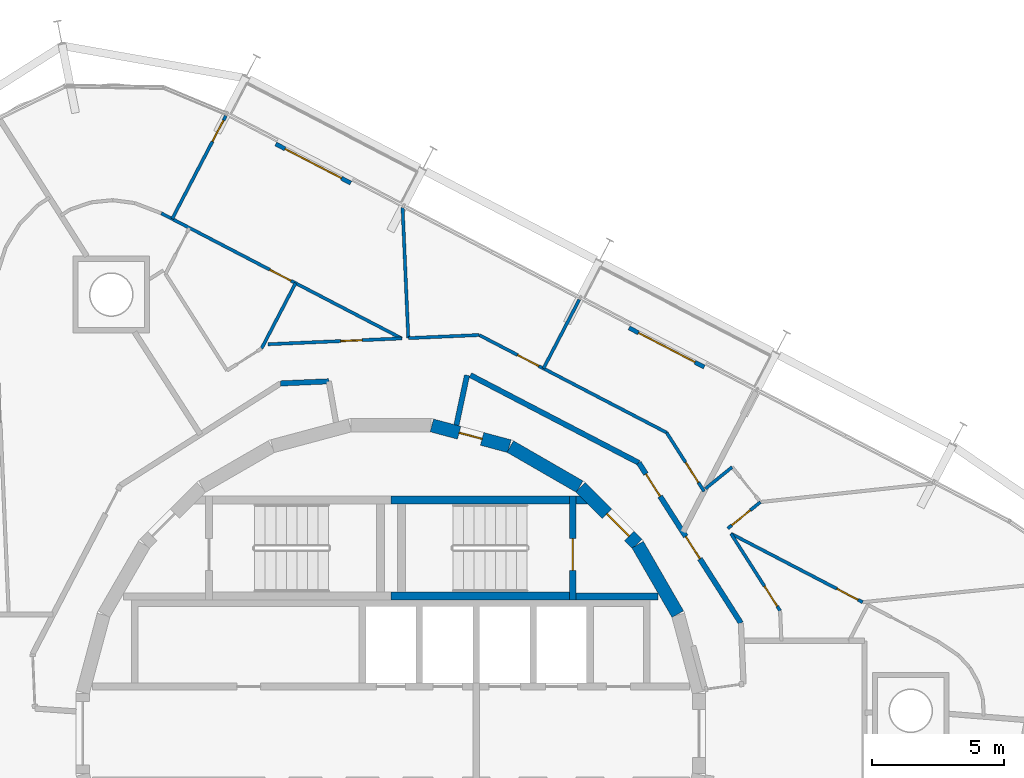
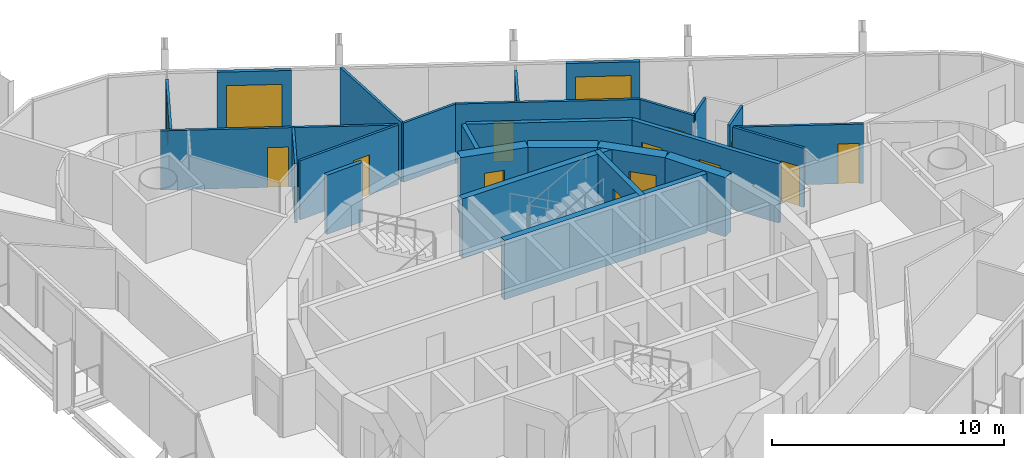
# One storey, part 16 of 18: 28 walls, 15 doors, 15 openings.
"""IFC4 building model written with IfcOpenShell, lengths in metres."""

import ifcopenshell
import ifcopenshell.guid

model = None  # the IFC model being written
_history = None  # IfcOwnerHistory: only IFC2X3 demands one
_inside = {}  # id of a spatial element -> (the spatial element, [elements in it])
_under = {}  # id of a project, library or spatial element -> (it, [spatial elements below it])
_declared = {}  # id of a project -> (the project, [libraries it declares])
_typed = {}  # id of a type object -> (the type object, [elements of that type])
_made_of = {}  # id of a material, layer set ... -> (it, [elements and type objects made of it])


def new_model(schema):
    """Start an empty IFC model of exactly this schema.

    Asked for "IFC4X3", IfcOpenShell would pick the latest addendum, in which some entities
    have other attributes; the version numbers below select the first issue.
    IFC2X3 requires an IfcOwnerHistory on every rooted entity: one is made here for all.
    """
    global model, _history
    if schema == "IFC4X3":
        model = ifcopenshell.file(schema_version=(4, 3, 0, 0))
    else:
        model = ifcopenshell.file(schema=schema)
    _inside.clear()
    _under.clear()
    _declared.clear()
    _typed.clear()
    _made_of.clear()
    _history = None
    if model.schema == "IFC2X3":
        org = make("IfcOrganization", Name="unknown")
        user = make(
            "IfcPersonAndOrganization",
            ThePerson=make("IfcPerson", FamilyName="unknown"),
            TheOrganization=org,
        )
        app = make(
            "IfcApplication",
            ApplicationDeveloper=org,
            Version="unknown",
            ApplicationFullName="unknown",
            ApplicationIdentifier="unknown",
        )
        _history = make(
            "IfcOwnerHistory",
            OwningUser=user,
            OwningApplication=app,
            ChangeAction="ADDED",
            CreationDate=0,
        )
    return model


def make(cls, **values):
    """One entity of the class cls with the attributes given. An attribute that is None is left unset."""
    return model.create_entity(
        cls, **{name: value for name, value in values.items() if value is not None}
    )


def rooted(cls, **values):
    """An entity with a GlobalId (a new one), such as an element, a storey or a relation."""
    return make(cls, GlobalId=ifcopenshell.guid.new(), OwnerHistory=_history, **values)


def si_unit(unit_type, name, prefix=None):
    """IfcSIUnit, for example si_unit("LENGTHUNIT", "METRE", prefix="MILLI")."""
    return make("IfcSIUnit", UnitType=unit_type, Prefix=prefix, Name=name)


def assignment(units):
    """IfcUnitAssignment: the units of a project."""
    return None if units is None else make("IfcUnitAssignment", Units=units)


def point(xyz):
    """IfcCartesianPoint."""
    return None if xyz is None else make("IfcCartesianPoint", Coordinates=xyz)


def direction(xyz):
    """IfcDirection."""
    return None if xyz is None else make("IfcDirection", DirectionRatios=xyz)


def frame(location, z_axis=None, x_axis=None):
    """IfcAxis2Placement3D, a coordinate frame: its origin and axes. An axis left out is left unset."""
    return make(
        "IfcAxis2Placement3D",
        Location=point(location),
        Axis=direction(z_axis),
        RefDirection=direction(x_axis),
    )


def frame_2d(location, x_axis=None):
    """IfcAxis2Placement2D, a coordinate frame in the plane: its origin and x axis."""
    return make(
        "IfcAxis2Placement2D", Location=point(location), RefDirection=direction(x_axis)
    )


def origin():
    """The frame at (0, 0, 0) with its axes left unset."""
    return frame((0.0, 0.0, 0.0))


def place(relative_to, where):
    """IfcLocalPlacement: puts the frame where relative to a parent placement (None: the world)."""
    return make(
        "IfcLocalPlacement", PlacementRelTo=relative_to, RelativePlacement=where
    )


def context(
    kind, dimensions, precision=None, world=None, true_north=None, identifier=None
):
    """IfcGeometricRepresentationContext, for example the 3D "Model" context."""
    return make(
        "IfcGeometricRepresentationContext",
        ContextIdentifier=identifier,
        ContextType=kind,
        CoordinateSpaceDimension=dimensions,
        Precision=precision,
        WorldCoordinateSystem=world,
        TrueNorth=true_north,
    )


def subcontext(parent, identifier, kind, view, scale=None):
    """IfcGeometricRepresentationSubContext, for example "Body" below "Model"."""
    return make(
        "IfcGeometricRepresentationSubContext",
        ContextIdentifier=identifier,
        ContextType=kind,
        ParentContext=parent,
        TargetScale=scale,
        TargetView=view,
    )


def project(units=None, contexts=None):
    """IfcProject with its units and contexts."""
    return rooted(
        "IfcProject",
        Name="project",
        RepresentationContexts=contexts,
        UnitsInContext=assignment(units),
    )


def spatial(cls, under=None, at=None, **own):
    """A site, building, storey or space (cls), placed at a placement, below another one or the project."""
    s = rooted(cls, ObjectPlacement=at, **own)
    if under is not None:
        _under.setdefault(under.id(), (under, []))[1].append(s)
    return s


def polyline(points):
    """IfcPolyline through the points."""
    return make("IfcPolyline", Points=[point(p) for p in points])


def profile(cls, at=None, kind="AREA", **sizes):
    """A parametric profile (cls). Its sizes go by their IFC names, for example OverallWidth=200.0."""
    return make(cls, ProfileType=kind, Position=at, **sizes)


def rectangle(**sizes):
    """IfcRectangleProfileDef."""
    return profile("IfcRectangleProfileDef", **sizes)


def outline(outer, holes=None, kind="AREA"):
    """IfcArbitraryClosedProfileDef: a profile drawn as a closed curve; with holes, ...WithVoids."""
    if holes is None:
        return make("IfcArbitraryClosedProfileDef", ProfileType=kind, OuterCurve=outer)
    return make(
        "IfcArbitraryProfileDefWithVoids",
        ProfileType=kind,
        OuterCurve=outer,
        InnerCurves=holes,
    )


def extrude(swept, where, along, depth):
    """IfcExtrudedAreaSolid: the profile swept, set in the frame where, extruded along a direction by depth."""
    return make(
        "IfcExtrudedAreaSolid",
        SweptArea=swept,
        Position=where,
        ExtrudedDirection=direction(along),
        Depth=depth,
    )


def shape(context_of_items, identifier, shape_type, items):
    """IfcShapeRepresentation: the items that make up one representation, for example the "Body"."""
    return make(
        "IfcShapeRepresentation",
        ContextOfItems=context_of_items,
        RepresentationIdentifier=identifier,
        RepresentationType=shape_type,
        Items=items,
    )


def material(Name=None, Category=None):
    """IfcMaterial."""
    return make("IfcMaterial", Name=Name, Category=Category)


def layer(
    of_material, thickness, ventilated=None, Name=None, Category=None, Priority=None
):
    """IfcMaterialLayer: one layer of a wall or slab, of a material (None: an air gap)."""
    return make(
        "IfcMaterialLayer",
        Material=of_material,
        LayerThickness=thickness,
        IsVentilated=ventilated,
        Name=Name,
        Category=Category,
        Priority=Priority,
    )


def layer_set(layers, Name=None):
    """IfcMaterialLayerSet."""
    return make("IfcMaterialLayerSet", MaterialLayers=layers, LayerSetName=Name)


def made_of(thing, what):
    """Note that an element or type object is made of a material, layer set ...; save() writes the relation."""
    if what is not None:
        _made_of.setdefault(what.id(), (what, []))[1].append(thing)
    return thing


def type_object(cls, material=None, **own):
    """A type object (cls), such as IfcWallType, which elements share."""
    return made_of(rooted(cls, **own), material)


def element(
    cls,
    number,
    at=None,
    inside=None,
    cuts=None,
    type_object=None,
    material=None,
    context=None,
    identifier="Body",
    shape_type=None,
    held_by="IfcProductDefinitionShape",
    body=None,
    shapes=None,
    **own,
):
    """One element of the class cls, such as IfcWall. Its Tag is "e" and its number.

    at: its placement. inside: the storey or other place that contains it. cuts: it is an
    opening in that element (IfcRelVoidsElement). A single representation is given by context,
    identifier, shape_type and body (its items); several are given by shapes. held_by: the class
    of the entity that holds the representations. save() writes the other relations.
    """
    e = rooted(cls, Tag="e%d" % number, ObjectPlacement=at, **own)
    if body is not None:
        shapes = [shape(context, identifier, shape_type, body)]
    if shapes is not None:
        e.Representation = make(held_by, Representations=shapes)
    if inside is not None:
        _inside.setdefault(inside.id(), (inside, []))[1].append(e)
    if cuts is not None:
        rooted(
            "IfcRelVoidsElement", RelatingBuildingElement=cuts, RelatedOpeningElement=e
        )
    if type_object is not None:
        _typed.setdefault(type_object.id(), (type_object, []))[1].append(e)
    return made_of(e, material)


def fill(opening, filler):
    """IfcRelFillsElement: the door or window that sits in an opening."""
    return rooted(
        "IfcRelFillsElement",
        RelatingOpeningElement=opening,
        RelatedBuildingElement=filler,
    )


def aggregate(whole, parts):
    """IfcRelAggregates: a whole, such as a stair, and the parts it consists of."""
    return rooted("IfcRelAggregates", RelatingObject=whole, RelatedObjects=parts)


def save(model, path):
    """Write the relations noted so far, then the file.

    IfcRelAggregates (storeys below a building ...), IfcRelContainedInSpatialStructure (elements
    in a storey), IfcRelDefinesByType, IfcRelAssociatesMaterial and IfcRelDeclares: one each for
    every whole, place, type object, material and project.
    """
    for whole, parts in _under.values():
        aggregate(whole, parts)
    for where, things in _inside.values():
        rooted(
            "IfcRelContainedInSpatialStructure",
            RelatedElements=things,
            RelatingStructure=where,
        )
    for kind, things in _typed.values():
        rooted("IfcRelDefinesByType", RelatedObjects=things, RelatingType=kind)
    for what, things in _made_of.values():
        rooted("IfcRelAssociatesMaterial", RelatedObjects=things, RelatingMaterial=what)
    for by, libraries in _declared.values():
        rooted("IfcRelDeclares", RelatingContext=by, RelatedDefinitions=libraries)
    model.write(path)


model = new_model("IFC4")

# Units and contexts
model_context = context("Model", 3, precision=1e-05, world=origin(), true_north=direction((0.0, 1.0)))
body_context = subcontext(model_context, "Body", "Model", "MODEL_VIEW")
ifc_project = project(units=[si_unit("LENGTHUNIT", "METRE"), si_unit("AREAUNIT", "SQUARE_METRE"), si_unit("VOLUMEUNIT", "CUBIC_METRE"), si_unit("PLANEANGLEUNIT", "RADIAN"), si_unit("MASSUNIT", "GRAM", prefix="KILO")], contexts=[model_context])

# Site, building, storey
site_placement = place(None, origin())
site = spatial("IfcSite", under=ifc_project, at=site_placement, CompositionType="ELEMENT")
building_placement = place(site_placement, origin())
building = spatial("IfcBuilding", under=site, at=building_placement, Name="Spindle Arch Residences", CompositionType="ELEMENT")
storey_placement = place(building_placement, frame((0.0, 0.0, 247.699951171875)))
storey = spatial("IfcBuildingStorey", under=building, at=storey_placement, Name="L63", CompositionType="ELEMENT", Elevation=247.699951171875)

# Wall
ifc_material_1 = material(Name="Concrete C50/60", Category="concrete")
ifc_layer_1 = layer(ifc_material_1, 0.5)
ifc_layer_set_1 = layer_set([ifc_layer_1], Name="Core outline wall 500")
wall_type_1 = type_object("IfcWallType", Name="Core outline wall 500", PredefinedType="SHEAR", material=ifc_layer_set_1)
wall_1_placement = place(storey_placement, frame((10.84521484375, 4.510498046875, 0.0), z_axis=(0.0, 0.0, 1.0), x_axis=(-0.500087131594, 0.865975092491, 0.0)))
element("IfcWall", 1, at=wall_1_placement, inside=storey, type_object=wall_type_1, Name="Core outline wall 8", PredefinedType="SHEAR", context=body_context, shape_type="SweptSolid", body=[
    extrude(rectangle(XDim=3.03271484375, YDim=0.5, at=frame_2d((1.516357421875, 0.0))), origin(), (0.0, 0.0, 1.0), 3.1201171875),
])

# Wall, opening, door
wall_2_placement = place(storey_placement, frame((9.30810546875, 7.163818359375, 0.0), z_axis=(0.0, 0.0, 1.0), x_axis=(-0.707106781187, 0.707106781187, 0.0)))
wall_2 = element("IfcWall", 2, at=wall_2_placement, inside=storey, type_object=wall_type_1, Name="Core outline wall 9", PredefinedType="SHEAR", context=body_context, shape_type="SweptSolid", body=[
    extrude(rectangle(XDim=3.032470703125, YDim=0.5, at=frame_2d((1.51611328125, 0.0))), origin(), (0.0, 0.0, 1.0), 3.1201171875),
])
opening_1_placement = place(wall_2_placement, frame((0.416259765625, 0.0, 0.0)))
opening_1 = element("IfcOpeningElement", 3, at=opening_1_placement, cuts=wall_2, Name="Opening R6C0-AD01", PredefinedType="OPENING", context=body_context, shape_type="SweptSolid", body=[
    extrude(rectangle(XDim=1.199951171875, YDim=2.10009765625, at=frame_2d((0.60009765625, 1.050048828125))), frame((0.0, 0.260009765625, 0.0), z_axis=(0.0, -1.0, 0.0), x_axis=(1.0, 0.0, 0.0)), (0.0, 0.0, 1.0), 0.52001953125),
])
ifc_material_2 = material(Name="Steel, fire-resisting door", Category="steel")
door_type_1 = type_object("IfcDoorType", Name="Stair airlock door 1200x2100", OperationType="SINGLE_SWING_LEFT", PredefinedType="DOOR", material=ifc_material_2)
door_1_placement = place(opening_1_placement, origin())
door_1 = element("IfcDoor", 4, at=door_1_placement, inside=storey, type_object=door_type_1, Name="Stair airlock door R6C0-AD01", OperationType="SINGLE_SWING_RIGHT", OverallHeight=2.10009765625, OverallWidth=1.199951171875, PredefinedType="DOOR", context=body_context, shape_type="SweptSolid", body=[
    extrude(rectangle(XDim=1.199951171875, YDim=2.10009765625, at=frame_2d((0.60009765625, 1.050048828125))), frame((0.0, 0.02490234375, 0.0), z_axis=(0.0, -1.0, 0.0), x_axis=(1.0, 0.0, 0.0)), (0.0, 0.0, 1.0), 0.050048828125),
])
fill(opening_1, door_1)

# Wall
wall_3_placement = place(storey_placement, frame((7.13671875, 9.32861328125, 0.0), z_axis=(0.0, 0.0, 1.0), x_axis=(-0.865975092491, 0.500087131594, 0.0)))
element("IfcWall", 5, at=wall_3_placement, inside=storey, type_object=wall_type_1, Name="Core outline wall 10", PredefinedType="SHEAR", context=body_context, shape_type="SweptSolid", body=[
    extrude(rectangle(XDim=3.03271484375, YDim=0.5, at=frame_2d((1.516357421875, 0.0))), origin(), (0.0, 0.0, 1.0), 3.1201171875),
])

# Wall, opening, door
wall_4_placement = place(storey_placement, frame((4.479248046875, 10.858154296875, 0.0), z_axis=(0.0, 0.0, 1.0), x_axis=(-0.965948410781, 0.258734743916, 0.0)))
wall_4 = element("IfcWall", 6, at=wall_4_placement, inside=storey, type_object=wall_type_1, Name="Core outline wall 11", PredefinedType="SHEAR", context=body_context, shape_type="SweptSolid", body=[
    extrude(rectangle(XDim=3.03271484375, YDim=0.5, at=frame_2d((1.516357421875, 0.0))), origin(), (0.0, 0.0, 1.0), 3.1201171875),
])
opening_2_placement = place(wall_4_placement, frame((1.066162109375, 0.0, 0.0)))
opening_2 = element("IfcOpeningElement", 7, at=opening_2_placement, cuts=wall_4, Name="Opening R6C0-WD11", PredefinedType="OPENING", context=body_context, shape_type="SweptSolid", body=[
    extrude(rectangle(XDim=0.89990234375, YDim=2.10009765625, at=frame_2d((0.449951171875, 1.050048828125))), frame((0.0, 0.260009765625, 0.0), z_axis=(0.0, -1.0, 0.0), x_axis=(1.0, 0.0, 0.0)), (0.0, 0.0, 1.0), 0.52001953125),
])
ifc_material_3 = material(Name="Steel, fire-resisting door", Category="steel")
door_type_2 = type_object("IfcDoorType", Name="Service room door 900x2100", OperationType="SINGLE_SWING_LEFT", PredefinedType="DOOR", material=ifc_material_3)
door_2_placement = place(opening_2_placement, origin())
door_2 = element("IfcDoor", 8, at=door_2_placement, inside=storey, type_object=door_type_2, Name="Service room door R6C0-WD11", OperationType="SINGLE_SWING_LEFT", OverallHeight=2.10009765625, OverallWidth=0.89990234375, PredefinedType="DOOR", context=body_context, shape_type="SweptSolid", body=[
    extrude(rectangle(XDim=0.89990234375, YDim=2.10009765625, at=frame_2d((0.449951171875, 1.050048828125))), frame((0.0, 0.02490234375, 0.0), z_axis=(0.0, -1.0, 0.0), x_axis=(1.0, 0.0, 0.0)), (0.0, 0.0, 1.0), 0.050048828125),
])
fill(opening_2, door_2)

# Wall, openings, doors
ifc_material_4 = material(Name="Calcium silicate block, plastered")
ifc_layer_2 = layer(ifc_material_4, 0.199951171875)
ifc_layer_set_2 = layer_set([ifc_layer_2], Name="Corridor wall 200")
wall_type_2 = type_object("IfcWallType", Name="Corridor wall 200", PredefinedType="STANDARD", material=ifc_layer_set_2)
wall_5_placement = place(storey_placement, frame((13.230712890625, 4.171630859375, 0.0), z_axis=(0.0, 0.0, 1.0), x_axis=(-0.537304397561, 0.843388394728, 0.0)))
wall_5 = element("IfcWall", 9, at=wall_5_placement, inside=storey, type_object=wall_type_2, Name="Corridor wall R6C0-W004", PredefinedType="STANDARD", context=body_context, shape_type="SweptSolid", body=[
    extrude(rectangle(XDim=7.180908203125, YDim=0.199951171875, at=frame_2d((3.59033203125, 0.0))), origin(), (0.0, 0.0, 1.0), 3.1201171875),
])
opening_3_placement = place(wall_5_placement, frame((2.881103515625, 0.0, 0.0)))
opening_3 = element("IfcOpeningElement", 10, at=opening_3_placement, cuts=wall_5, Name="Opening R6C0-FD01", PredefinedType="OPENING", context=body_context, shape_type="SweptSolid", body=[
    extrude(rectangle(XDim=1.0, YDim=2.10009765625, at=frame_2d((0.5, 1.050048828125))), frame((0.0, 0.10986328125, 0.0), z_axis=(0.0, -1.0, 0.0), x_axis=(1.0, 0.0, 0.0)), (0.0, 0.0, 1.0), 0.219970703125),
])
opening_4_placement = place(wall_5_placement, frame((5.68115234375, 0.0, 0.0)))
opening_4 = element("IfcOpeningElement", 11, at=opening_4_placement, cuts=wall_5, Name="Opening R6C0-FD02", PredefinedType="OPENING", context=body_context, shape_type="SweptSolid", body=[
    extrude(rectangle(XDim=1.0, YDim=2.10009765625, at=frame_2d((0.5, 1.050048828125))), frame((0.0, 0.10986328125, 0.0), z_axis=(0.0, -1.0, 0.0), x_axis=(1.0, 0.0, 0.0)), (0.0, 0.0, 1.0), 0.219970703125),
])
ifc_material_5 = material(Name="Timber, fire-resisting door set", Category="wood")
door_type_3 = type_object("IfcDoorType", Name="Flat entrance door 1000x2100", OperationType="NOTDEFINED", PredefinedType="DOOR", material=ifc_material_5)
door_3_placement = place(opening_3_placement, origin())
door_3 = element("IfcDoor", 12, at=door_3_placement, inside=storey, type_object=door_type_3, Name="Flat entrance door R6C0-FD01", OperationType="SINGLE_SWING_LEFT", OverallHeight=2.10009765625, OverallWidth=1.0, PredefinedType="DOOR", context=body_context, shape_type="SweptSolid", body=[
    extrude(rectangle(XDim=1.0, YDim=2.10009765625, at=frame_2d((0.5, 1.050048828125))), frame((0.0, 0.02490234375, 0.0), z_axis=(0.0, -1.0, 0.0), x_axis=(1.0, 0.0, 0.0)), (0.0, 0.0, 1.0), 0.050048828125),
])
fill(opening_3, door_3)
door_4_placement = place(opening_4_placement, origin())
door_4 = element("IfcDoor", 13, at=door_4_placement, inside=storey, type_object=door_type_3, Name="Flat entrance door R6C0-FD02", OperationType="SINGLE_SWING_LEFT", OverallHeight=2.10009765625, OverallWidth=1.0, PredefinedType="DOOR", context=body_context, shape_type="SweptSolid", body=[
    extrude(rectangle(XDim=1.0, YDim=2.10009765625, at=frame_2d((0.5, 1.050048828125))), frame((0.0, 0.02490234375, 0.0), z_axis=(0.0, -1.0, 0.0), x_axis=(1.0, 0.0, 0.0)), (0.0, 0.0, 1.0), 0.050048828125),
])
fill(opening_4, door_4)

# Walls
wall_6_placement = place(storey_placement, frame((9.372314453125, 10.22802734375, 0.0), z_axis=(0.0, 0.0, 1.0), x_axis=(-0.887005184532, 0.461759464021, 0.0)))
element("IfcWall", 14, at=wall_6_placement, inside=storey, type_object=wall_type_2, Name="Corridor wall R6C0-W005", PredefinedType="STANDARD", context=body_context, shape_type="SweptSolid", body=[
    extrude(rectangle(XDim=7.18115234375, YDim=0.199951171875, at=frame_2d((3.590576171875, 0.0))), origin(), (0.0, 0.0, 1.0), 3.1201171875),
])
wall_7_placement = place(storey_placement, frame((2.877685546875, 13.538330078125, 0.0), z_axis=(0.0, 0.0, 1.0), x_axis=(-0.207893604596, -0.978151444904, 0.0)))
element("IfcWall", 15, at=wall_7_placement, inside=storey, type_object=wall_type_2, Name="Corridor wall R6C0-W006", PredefinedType="STANDARD", context=body_context, shape_type="SweptSolid", body=[
    extrude(rectangle(XDim=1.927001953125, YDim=0.199951171875, at=frame_2d((0.96337890625, 0.0))), origin(), (0.0, 0.0, 1.0), 3.1201171875),
])
wall_8_placement = place(storey_placement, frame((-2.346923828125, 13.310302734375, 0.0), z_axis=(0.0, 0.0, 1.0), x_axis=(-0.999050095671, -0.043576442492, 0.0)))
element("IfcWall", 16, at=wall_8_placement, inside=storey, type_object=wall_type_2, Name="Corridor wall R6C0-W011", PredefinedType="STANDARD", context=body_context, shape_type="SweptSolid", body=[
    extrude(rectangle(XDim=1.826416015625, YDim=0.199951171875, at=frame_2d((0.9130859375, 0.0))), origin(), (0.0, 0.0, 1.0), 3.1201171875),
])

# Wall, opening, door
ifc_material_6 = material(Name="Plasterboard on steel studs", Category="steel")
ifc_layer_3 = layer(ifc_material_6, 0.1201171875)
ifc_layer_set_3 = layer_set([ifc_layer_3], Name="Flat partition 120")
wall_type_3 = type_object("IfcWallType", Name="Flat partition 120", PredefinedType="PARTITIONING", material=ifc_layer_set_3)
wall_9_placement = place(storey_placement, frame((14.711669921875, 4.638671875, 0.0), z_axis=(0.0, 0.0, 1.0), x_axis=(-0.537287126609, 0.843399397427, 0.0)))
wall_9 = element("IfcWall", 17, at=wall_9_placement, inside=storey, type_object=wall_type_3, Name="Flat partition R6C0-W043", PredefinedType="PARTITIONING", context=body_context, shape_type="SweptSolid", body=[
    extrude(rectangle(XDim=3.453369140625, YDim=0.1201171875, at=frame_2d((1.7265625, 0.0))), origin(), (0.0, 0.0, 1.0), 3.1201171875),
])
opening_5_placement = place(wall_9_placement, frame((0.199951171875, 0.0, 0.0)))
opening_5 = element("IfcOpeningElement", 18, at=opening_5_placement, cuts=wall_9, Name="Opening R6C0-ID01", PredefinedType="OPENING", context=body_context, shape_type="SweptSolid", body=[
    extrude(rectangle(XDim=0.89990234375, YDim=2.10009765625, at=frame_2d((0.449951171875, 1.050048828125))), frame((0.0, 0.070068359375, 0.0), z_axis=(0.0, -1.0, 0.0), x_axis=(1.0, 0.0, 0.0)), (0.0, 0.0, 1.0), 0.14013671875),
])
ifc_material_7 = material(Name="Timber door set", Category="wood")
door_type_4 = type_object("IfcDoorType", Name="Room door 900x2100", OperationType="NOTDEFINED", PredefinedType="DOOR", material=ifc_material_7)
door_5_placement = place(opening_5_placement, origin())
door_5 = element("IfcDoor", 19, at=door_5_placement, inside=storey, type_object=door_type_4, Name="Room door R6C0-ID01", OperationType="SINGLE_SWING_LEFT", OverallHeight=2.10009765625, OverallWidth=0.89990234375, PredefinedType="DOOR", context=body_context, shape_type="SweptSolid", body=[
    extrude(rectangle(XDim=0.89990234375, YDim=2.10009765625, at=frame_2d((0.449951171875, 1.050048828125))), frame((0.0, 0.02490234375, 0.0), z_axis=(0.0, -1.0, 0.0), x_axis=(1.0, 0.0, 0.0)), (0.0, 0.0, 1.0), 0.050048828125),
])
fill(opening_5, door_5)

wall_10_placement = place(storey_placement, frame((12.73193359375, 7.74609375, 0.0), z_axis=(0.0, 0.0, 1.0), x_axis=(0.777187694298, 0.62926885179, 0.0)))
wall_10 = element("IfcWall", 20, at=wall_10_placement, inside=storey, type_object=wall_type_3, Name="Flat partition R6C0-W044", PredefinedType="PARTITIONING", context=body_context, shape_type="SweptSolid", body=[
    extrude(rectangle(XDim=1.591064453125, YDim=0.1201171875, at=frame_2d((0.79541015625, 0.0))), origin(), (0.0, 0.0, 1.0), 3.1201171875),
])
opening_6_placement = place(wall_10_placement, frame((0.199951171875, 0.0, 0.0)))
opening_6 = element("IfcOpeningElement", 21, at=opening_6_placement, cuts=wall_10, Name="Opening R6C0-ID02", PredefinedType="OPENING", context=body_context, shape_type="SweptSolid", body=[
    extrude(rectangle(XDim=0.89990234375, YDim=2.10009765625, at=frame_2d((0.449951171875, 1.050048828125))), frame((0.0, 0.070068359375, 0.0), z_axis=(0.0, -1.0, 0.0), x_axis=(1.0, 0.0, 0.0)), (0.0, 0.0, 1.0), 0.14013671875),
])
door_6_placement = place(opening_6_placement, origin())
door_6 = element("IfcDoor", 22, at=door_6_placement, inside=storey, type_object=door_type_4, Name="Room door R6C0-ID02", OperationType="SINGLE_SWING_RIGHT", OverallHeight=2.10009765625, OverallWidth=0.89990234375, PredefinedType="DOOR", context=body_context, shape_type="SweptSolid", body=[
    extrude(rectangle(XDim=0.89990234375, YDim=2.10009765625, at=frame_2d((0.449951171875, 1.050048828125))), frame((0.0, 0.02490234375, 0.0), z_axis=(0.0, -1.0, 0.0), x_axis=(1.0, 0.0, 0.0)), (0.0, 0.0, 1.0), 0.050048828125),
])
fill(opening_6, door_6)

# Wall
wall_11_placement = place(storey_placement, frame((12.8984375, 10.068603515625, 0.0), z_axis=(0.0, 0.0, 1.0), x_axis=(-0.777069405334, -0.629414918232, 0.0)))
element("IfcWall", 23, at=wall_11_placement, inside=storey, type_object=wall_type_3, Name="Flat partition R6C0-W046", PredefinedType="PARTITIONING", context=body_context, shape_type="SweptSolid", body=[
    extrude(rectangle(XDim=1.29638671875, YDim=0.1201171875, at=frame_2d((0.648193359375, 0.0))), origin(), (0.0, 0.0, 1.0), 3.1201171875),
])

# Wall, opening, door
wall_12_placement = place(storey_placement, frame((17.83447265625, 4.959716796875, 0.0), z_axis=(0.0, 0.0, 1.0), x_axis=(-0.887008743782, 0.461752626906, 0.0)))
wall_12 = element("IfcWall", 24, at=wall_12_placement, inside=storey, type_object=wall_type_3, Name="Flat partition R6C0-W055", PredefinedType="PARTITIONING", context=body_context, shape_type="SweptSolid", body=[
    extrude(rectangle(XDim=5.6123046875, YDim=0.1201171875, at=frame_2d((2.80615234375, 0.0))), origin(), (0.0, 0.0, 1.0), 3.1201171875),
])
opening_7_placement = place(wall_12_placement, frame((0.199951171875, 0.0, 0.0)))
opening_7 = element("IfcOpeningElement", 25, at=opening_7_placement, cuts=wall_12, Name="Opening R6C0-ID05", PredefinedType="OPENING", context=body_context, shape_type="SweptSolid", body=[
    extrude(rectangle(XDim=0.89990234375, YDim=2.10009765625, at=frame_2d((0.449951171875, 1.050048828125))), frame((0.0, 0.070068359375, 0.0), z_axis=(0.0, -1.0, 0.0), x_axis=(1.0, 0.0, 0.0)), (0.0, 0.0, 1.0), 0.14013671875),
])
door_7_placement = place(opening_7_placement, origin())
door_7 = element("IfcDoor", 26, at=door_7_placement, inside=storey, type_object=door_type_4, Name="Room door R6C0-ID05", OperationType="SINGLE_SWING_RIGHT", OverallHeight=2.10009765625, OverallWidth=0.89990234375, PredefinedType="DOOR", context=body_context, shape_type="SweptSolid", body=[
    extrude(rectangle(XDim=0.89990234375, YDim=2.10009765625, at=frame_2d((0.449951171875, 1.050048828125))), frame((0.0, 0.02490234375, 0.0), z_axis=(0.0, -1.0, 0.0), x_axis=(1.0, 0.0, 0.0)), (0.0, 0.0, 1.0), 0.050048828125),
])
fill(opening_7, door_7)

wall_13_placement = place(storey_placement, frame((11.837646484375, 9.14990234375, 0.0), z_axis=(0.0, 0.0, 1.0), x_axis=(-0.537288949014, 0.843398236462, 0.0)))
wall_13 = element("IfcWall", 27, at=wall_13_placement, inside=storey, type_object=wall_type_3, Name="Flat partition R6C0-W057", PredefinedType="PARTITIONING", context=body_context, shape_type="SweptSolid", body=[
    extrude(rectangle(XDim=2.635986328125, YDim=0.1201171875, at=frame_2d((1.31787109375, 0.0))), origin(), (0.0, 0.0, 1.0), 3.1201171875),
])
opening_8_placement = place(wall_13_placement, frame((0.39990234375, 0.0, 0.0)))
opening_8 = element("IfcOpeningElement", 28, at=opening_8_placement, cuts=wall_13, Name="Opening R6C0-ID06", PredefinedType="OPENING", context=body_context, shape_type="SweptSolid", body=[
    extrude(rectangle(XDim=0.89990234375, YDim=2.10009765625, at=frame_2d((0.449951171875, 1.050048828125))), frame((0.0, 0.070068359375, 0.0), z_axis=(0.0, -1.0, 0.0), x_axis=(1.0, 0.0, 0.0)), (0.0, 0.0, 1.0), 0.14013671875),
])
door_8_placement = place(opening_8_placement, origin())
door_8 = element("IfcDoor", 29, at=door_8_placement, inside=storey, type_object=door_type_4, Name="Room door R6C0-ID06", OperationType="SINGLE_SWING_LEFT", OverallHeight=2.10009765625, OverallWidth=0.89990234375, PredefinedType="DOOR", context=body_context, shape_type="SweptSolid", body=[
    extrude(rectangle(XDim=0.89990234375, YDim=2.10009765625, at=frame_2d((0.449951171875, 1.050048828125))), frame((0.0, 0.02490234375, 0.0), z_axis=(0.0, -1.0, 0.0), x_axis=(1.0, 0.0, 0.0)), (0.0, 0.0, 1.0), 0.050048828125),
])
fill(opening_8, door_8)

wall_14_placement = place(storey_placement, frame((10.42138671875, 11.373046875, 0.0), z_axis=(0.0, 0.0, 1.0), x_axis=(-0.887012970857, 0.461744506769, 0.0)))
wall_14 = element("IfcWall", 30, at=wall_14_placement, inside=storey, type_object=wall_type_3, Name="Flat partition R6C0-W058", PredefinedType="PARTITIONING", context=body_context, shape_type="SweptSolid", body=[
    extrude(rectangle(XDim=7.98486328125, YDim=0.1201171875, at=frame_2d((3.992431640625, 0.0))), origin(), (0.0, 0.0, 1.0), 3.1201171875),
])
opening_9_placement = place(wall_14_placement, frame((5.447509765625, 0.0, 0.0)))
opening_9 = element("IfcOpeningElement", 31, at=opening_9_placement, cuts=wall_14, Name="Opening R6C0-ID07", PredefinedType="OPENING", context=body_context, shape_type="SweptSolid", body=[
    extrude(rectangle(XDim=0.89990234375, YDim=2.10009765625, at=frame_2d((0.449951171875, 1.050048828125))), frame((0.0, 0.070068359375, 0.0), z_axis=(0.0, -1.0, 0.0), x_axis=(1.0, 0.0, 0.0)), (0.0, 0.0, 1.0), 0.14013671875),
])
door_9_placement = place(opening_9_placement, origin())
door_9 = element("IfcDoor", 32, at=door_9_placement, inside=storey, type_object=door_type_4, Name="Room door R6C0-ID07", OperationType="SINGLE_SWING_RIGHT", OverallHeight=2.10009765625, OverallWidth=0.89990234375, PredefinedType="DOOR", context=body_context, shape_type="SweptSolid", body=[
    extrude(rectangle(XDim=0.89990234375, YDim=2.10009765625, at=frame_2d((0.449951171875, 1.050048828125))), frame((0.0, 0.02490234375, 0.0), z_axis=(0.0, -1.0, 0.0), x_axis=(1.0, 0.0, 0.0)), (0.0, 0.0, 1.0), 0.050048828125),
])
fill(opening_9, door_9)

# Wall
wall_15_placement = place(storey_placement, frame((3.338623046875, 15.06005859375, 0.0), z_axis=(0.0, 0.0, 1.0), x_axis=(-0.999045829762, -0.043674134634, 0.0)))
element("IfcWall", 33, at=wall_15_placement, inside=storey, type_object=wall_type_3, Name="Flat partition R6C0-W059", PredefinedType="PARTITIONING", context=body_context, shape_type="SweptSolid", body=[
    extrude(rectangle(XDim=2.68310546875, YDim=0.1201171875, at=frame_2d((1.341552734375, 0.0))), origin(), (0.0, 0.0, 1.0), 3.1201171875),
])

# Wall, opening, door
wall_16_placement = place(storey_placement, frame((0.41015625, 14.93212890625, 0.0), z_axis=(0.0, 0.0, 1.0), x_axis=(-0.99904802852, -0.043623808982, 0.0)))
wall_16 = element("IfcWall", 34, at=wall_16_placement, inside=storey, type_object=wall_type_3, Name="Flat partition R6C0-W060", PredefinedType="PARTITIONING", context=body_context, shape_type="SweptSolid", body=[
    extrude(rectangle(XDim=5.0537109375, YDim=0.1201171875, at=frame_2d((2.52685546875, 0.0))), origin(), (0.0, 0.0, 1.0), 3.1201171875),
])
opening_10_placement = place(wall_16_placement, frame((1.5, 0.0, 0.0)))
opening_10 = element("IfcOpeningElement", 35, at=opening_10_placement, cuts=wall_16, Name="Opening R6C0-BD02", PredefinedType="OPENING", context=body_context, shape_type="SweptSolid", body=[
    extrude(rectangle(XDim=0.800048828125, YDim=2.10009765625, at=frame_2d((0.39990234375, 1.050048828125))), frame((0.0, 0.070068359375, 0.0), z_axis=(0.0, -1.0, 0.0), x_axis=(1.0, 0.0, 0.0)), (0.0, 0.0, 1.0), 0.14013671875),
])
ifc_material_8 = material(Name="Timber door set", Category="wood")
door_type_5 = type_object("IfcDoorType", Name="Bathroom door 800x2100", OperationType="NOTDEFINED", PredefinedType="DOOR", material=ifc_material_8)
door_10_placement = place(opening_10_placement, origin())
door_10 = element("IfcDoor", 36, at=door_10_placement, inside=storey, type_object=door_type_5, Name="Bathroom door R6C0-BD02", OperationType="SINGLE_SWING_RIGHT", OverallHeight=2.10009765625, OverallWidth=0.800048828125, PredefinedType="DOOR", context=body_context, shape_type="SweptSolid", body=[
    extrude(rectangle(XDim=0.800048828125, YDim=2.10009765625, at=frame_2d((0.39990234375, 1.050048828125))), frame((0.0, 0.02490234375, 0.0), z_axis=(0.0, -1.0, 0.0), x_axis=(1.0, 0.0, 0.0)), (0.0, 0.0, 1.0), 0.050048828125),
])
fill(opening_10, door_10)

# Wall
wall_17_placement = place(storey_placement, frame((0.4423828125, 19.875732421875, 0.0), z_axis=(0.0, 0.0, 1.0), x_axis=(0.04366038102, -0.999046430918, 0.0)))
element("IfcWall", 37, at=wall_17_placement, inside=storey, type_object=wall_type_3, Name="Flat partition R6C0-W065", PredefinedType="PARTITIONING", context=body_context, shape_type="SweptSolid", body=[
    extrude(rectangle(XDim=4.9375, YDim=0.1201171875, at=frame_2d((2.46875, 0.0))), origin(), (0.0, 0.0, 1.0), 3.1201171875),
])

# Wall, opening, door
wall_18_placement = place(storey_placement, frame((0.41015625, 14.93212890625, 0.0), z_axis=(0.0, 0.0, 1.0), x_axis=(-0.887012293034, 0.461745808867, 0.0)))
wall_18 = element("IfcWall", 38, at=wall_18_placement, inside=storey, type_object=wall_type_3, Name="Flat partition R6C0-W066", PredefinedType="PARTITIONING", context=body_context, shape_type="SweptSolid", body=[
    extrude(rectangle(XDim=10.246337890625, YDim=0.1201171875, at=frame_2d((5.123046875, 0.0))), origin(), (0.0, 0.0, 1.0), 3.1201171875),
])
opening_11_placement = place(wall_18_placement, frame((4.724609375, 0.0, 0.0)))
opening_11 = element("IfcOpeningElement", 39, at=opening_11_placement, cuts=wall_18, Name="Opening R6C0-ID09", PredefinedType="OPENING", context=body_context, shape_type="SweptSolid", body=[
    extrude(rectangle(XDim=0.89990234375, YDim=2.10009765625, at=frame_2d((0.449951171875, 1.050048828125))), frame((0.0, 0.070068359375, 0.0), z_axis=(0.0, -1.0, 0.0), x_axis=(1.0, 0.0, 0.0)), (0.0, 0.0, 1.0), 0.14013671875),
])
door_11_placement = place(opening_11_placement, origin())
door_11 = element("IfcDoor", 40, at=door_11_placement, inside=storey, type_object=door_type_4, Name="Room door R6C0-ID09", OperationType="SINGLE_SWING_RIGHT", OverallHeight=2.10009765625, OverallWidth=0.89990234375, PredefinedType="DOOR", context=body_context, shape_type="SweptSolid", body=[
    extrude(rectangle(XDim=0.89990234375, YDim=2.10009765625, at=frame_2d((0.449951171875, 1.050048828125))), frame((0.0, 0.02490234375, 0.0), z_axis=(0.0, -1.0, 0.0), x_axis=(1.0, 0.0, 0.0)), (0.0, 0.0, 1.0), 0.050048828125),
])
fill(opening_11, door_11)

# Walls
wall_19_placement = place(storey_placement, frame((-3.60302734375, 17.021240234375, 0.0), z_axis=(0.0, 0.0, 1.0), x_axis=(-0.46178633653, -0.886991194654, 0.0)))
element("IfcWall", 41, at=wall_19_placement, inside=storey, type_object=wall_type_3, Name="Flat partition R6C0-W067", PredefinedType="PARTITIONING", context=body_context, shape_type="SweptSolid", body=[
    extrude(rectangle(XDim=2.782958984375, YDim=0.1201171875, at=frame_2d((1.3916015625, 0.0))), origin(), (0.0, 0.0, 1.0), 3.1201171875),
])
ifc_material_9 = material(Name="Plasterboard on steel studs", Category="steel")
ifc_layer_4 = layer(ifc_material_9, 0.1201171875)
ifc_layer_set_4 = layer_set([ifc_layer_4], Name="Flat partition 120 under beam 2730")
wall_type_4 = type_object("IfcWallType", Name="Flat partition 120 under beam 2730", PredefinedType="PARTITIONING", material=ifc_layer_set_4)
wall_20_placement = place(storey_placement, frame((7.121826171875, 16.398681640625, 0.0), z_axis=(0.0, 0.0, 1.0), x_axis=(-0.461763975246, -0.887002836053, 0.0)))
element("IfcWall", 42, at=wall_20_placement, inside=storey, type_object=wall_type_4, Name="Flat partition R6C0-W064", PredefinedType="PARTITIONING", context=body_context, shape_type="SweptSolid", body=[
    extrude(rectangle(XDim=2.934326171875, YDim=0.1201171875, at=frame_2d((1.46728515625, 0.0))), origin(), (0.0, 0.0, 1.0), 2.72998046875),
])

# Wall, opening, door
wall_21_placement = place(storey_placement, frame((-6.23681640625, 23.352783203125, 0.0), z_axis=(0.0, 0.0, 1.0), x_axis=(-0.461714347673, -0.88702866986, 0.0)))
wall_21 = element("IfcWall", 43, at=wall_21_placement, inside=storey, type_object=wall_type_4, Name="Flat partition R6C0-W068", PredefinedType="PARTITIONING", context=body_context, shape_type="SweptSolid", body=[
    extrude(rectangle(XDim=4.39990234375, YDim=0.1201171875, at=frame_2d((2.199951171875, 0.0))), origin(), (0.0, 0.0, 1.0), 2.72998046875),
])
opening_12_placement = place(wall_21_placement, frame((0.199951171875, 0.0, 0.0)))
opening_12 = element("IfcOpeningElement", 44, at=opening_12_placement, cuts=wall_21, Name="Opening R6C0-ID10", PredefinedType="OPENING", context=body_context, shape_type="SweptSolid", body=[
    extrude(rectangle(XDim=0.89990234375, YDim=2.10009765625, at=frame_2d((0.449951171875, 1.050048828125))), frame((0.0, 0.070068359375, 0.0), z_axis=(0.0, -1.0, 0.0), x_axis=(1.0, 0.0, 0.0)), (0.0, 0.0, 1.0), 0.14013671875),
])
door_12_placement = place(opening_12_placement, origin())
door_12 = element("IfcDoor", 45, at=door_12_placement, inside=storey, type_object=door_type_4, Name="Room door R6C0-ID10", OperationType="SINGLE_SWING_RIGHT", OverallHeight=2.10009765625, OverallWidth=0.89990234375, PredefinedType="DOOR", context=body_context, shape_type="SweptSolid", body=[
    extrude(rectangle(XDim=0.89990234375, YDim=2.10009765625, at=frame_2d((0.449951171875, 1.050048828125))), frame((0.0, 0.02490234375, 0.0), z_axis=(0.0, -1.0, 0.0), x_axis=(1.0, 0.0, 0.0)), (0.0, 0.0, 1.0), 0.050048828125),
])
fill(opening_12, door_12)

ifc_material_10 = material(Name="Non-combustible mineral wool insulated aluminium faced external wall (K0)", Category="aluminium")
ifc_layer_5 = layer(ifc_material_10, 0.159912109375)
ifc_layer_set_5 = layer_set([ifc_layer_5], Name="Insulated external wall panel 160")
wall_type_5 = type_object("IfcWallType", Name="Insulated external wall panel 160", PredefinedType="STANDARD", material=ifc_layer_set_5)
wall_22_placement = place(storey_placement, frame((11.84375, 13.8505859375, 0.0), z_axis=(0.0, 0.0, 1.0), x_axis=(-0.887014349583, 0.461741858221, 0.0)))
wall_22 = element("IfcWall", 46, at=wall_22_placement, inside=storey, type_object=wall_type_5, Name="External wall L63 bay 7", PredefinedType="STANDARD", context=body_context, shape_type="SweptSolid", body=[
    extrude(rectangle(XDim=3.199951171875, YDim=0.159912109375, at=frame_2d((1.60009765625, 0.0))), origin(), (0.0, 0.0, 1.0), 3.1201171875),
])
opening_13_placement = place(wall_22_placement, frame((0.39990234375, 0.0, 0.0)))
opening_13 = element("IfcOpeningElement", 47, at=opening_13_placement, cuts=wall_22, Name="Opening BD07", PredefinedType="OPENING", context=body_context, shape_type="SweptSolid", body=[
    extrude(rectangle(XDim=2.39990234375, YDim=2.39990234375, at=frame_2d((1.199951171875, 1.199951171875))), frame((0.0, 0.08984375, 0.0), z_axis=(0.0, -1.0, 0.0), x_axis=(1.0, 0.0, 0.0)), (0.0, 0.0, 1.0), 0.179931640625),
])
ifc_material_11 = material(Name="Bronze aluminium frame, tinted double glazing", Category="aluminium")
door_type_6 = type_object("IfcDoorType", Name="Sliding glazed balcony door 2400x2400", OperationType="DOUBLE_DOOR_SLIDING", PredefinedType="DOOR", material=ifc_material_11)
door_13_placement = place(opening_13_placement, origin())
door_13 = element("IfcDoor", 48, at=door_13_placement, inside=storey, type_object=door_type_6, Name="Balcony door BD07", OperationType="DOUBLE_DOOR_SLIDING", OverallHeight=2.39990234375, OverallWidth=2.39990234375, PredefinedType="DOOR", context=body_context, shape_type="SweptSolid", body=[
    extrude(rectangle(XDim=2.39990234375, YDim=2.39990234375, at=frame_2d((1.199951171875, 1.199951171875))), frame((0.0, 0.02490234375, 0.0), z_axis=(0.0, -1.0, 0.0), x_axis=(1.0, 0.0, 0.0)), (0.0, 0.0, 1.0), 0.050048828125),
])
fill(opening_13, door_13)

wall_23_placement = place(storey_placement, frame((-1.514892578125, 20.804443359375, 0.0), z_axis=(0.0, 0.0, 1.0), x_axis=(-0.887014349583, 0.461741858221, 0.0)))
wall_23 = element("IfcWall", 49, at=wall_23_placement, inside=storey, type_object=wall_type_5, Name="External wall L63 bay 9", PredefinedType="STANDARD", context=body_context, shape_type="SweptSolid", body=[
    extrude(rectangle(XDim=3.199951171875, YDim=0.159912109375, at=frame_2d((1.60009765625, 0.0))), origin(), (0.0, 0.0, 1.0), 3.1201171875),
])
opening_14_placement = place(wall_23_placement, frame((0.39990234375, 0.0, 0.0)))
opening_14 = element("IfcOpeningElement", 50, at=opening_14_placement, cuts=wall_23, Name="Opening BD09", PredefinedType="OPENING", context=body_context, shape_type="SweptSolid", body=[
    extrude(rectangle(XDim=2.39990234375, YDim=2.39990234375, at=frame_2d((1.199951171875, 1.199951171875))), frame((0.0, 0.08984375, 0.0), z_axis=(0.0, -1.0, 0.0), x_axis=(1.0, 0.0, 0.0)), (0.0, 0.0, 1.0), 0.179931640625),
])
door_14_placement = place(opening_14_placement, origin())
door_14 = element("IfcDoor", 51, at=door_14_placement, inside=storey, type_object=door_type_6, Name="Balcony door BD09", OperationType="DOUBLE_DOOR_SLIDING", OverallHeight=2.39990234375, OverallWidth=2.39990234375, PredefinedType="DOOR", context=body_context, shape_type="SweptSolid", body=[
    extrude(rectangle(XDim=2.39990234375, YDim=2.39990234375, at=frame_2d((1.199951171875, 1.199951171875))), frame((0.0, 0.02490234375, 0.0), z_axis=(0.0, -1.0, 0.0), x_axis=(1.0, 0.0, 0.0)), (0.0, 0.0, 1.0), 0.050048828125),
])
fill(opening_14, door_14)

# Walls
ifc_material_12 = material(Name="Concrete C40/50", Category="concrete")
ifc_layer_6 = layer(ifc_material_12, 0.25)
ifc_layer_set_6 = layer_set([ifc_layer_6], Name="Stair airlock wall 250")
wall_type_6 = type_object("IfcWallType", Name="Stair airlock wall 250", PredefinedType="SHEAR", material=ifc_layer_set_6)
wall_24_placement = place(storey_placement, frame((7.0, 5.175048828125, 0.0), z_axis=(0.0, 0.0, 1.0), x_axis=(1.0, 0.0, 0.0)))
element("IfcWall", 52, at=wall_24_placement, inside=storey, type_object=wall_type_6, Name="Stair ST-1 airlock wall S", PredefinedType="SHEAR", context=body_context, shape_type="SweptSolid", body=[
    extrude(rectangle(XDim=3.10009765625, YDim=0.25, at=frame_2d((1.550048828125, 0.0))), origin(), (0.0, 0.0, 1.0), 3.1201171875),
])
ifc_material_13 = material(Name="Concrete C40/50", Category="concrete")
wall_type_7 = type_object("IfcWallType", Name="Stair airlock wall profile", PredefinedType="SHEAR", material=ifc_material_13)
wall_25_placement = place(storey_placement, origin())
element("IfcWall", 53, at=wall_25_placement, inside=storey, type_object=wall_type_7, Name="Stair ST-1 airlock wall N", PredefinedType="SHEAR", context=body_context, shape_type="SweptSolid", body=[
    extrude(outline(polyline([(7.4482421875, 8.669921875), (7.0, 8.669921875), (7.0, 8.969970703125), (7.148193359375, 8.969970703125), (7.4482421875, 8.669921875)])), origin(), (0.0, 0.0, 1.0), 3.1201171875),
])

# Wall, opening, door
ifc_material_14 = material(Name="Concrete C50/60", Category="concrete")
ifc_layer_7 = layer(ifc_material_14, 0.25)
ifc_layer_set_7 = layer_set([ifc_layer_7], Name="Stair enclosure wall 250")
wall_type_8 = type_object("IfcWallType", Name="Stair enclosure wall 250", PredefinedType="SHEAR", material=ifc_layer_set_7)
wall_26_placement = place(storey_placement, frame((6.875, 5.050048828125, 0.0), z_axis=(0.0, 0.0, 1.0), x_axis=(0.0, 1.0, 0.0)))
wall_26 = element("IfcWall", 54, at=wall_26_placement, inside=storey, type_object=wall_type_8, Name="Stair ST-1 door wall", PredefinedType="SHEAR", context=body_context, shape_type="SweptSolid", body=[
    extrude(rectangle(XDim=3.919921875, YDim=0.25, at=frame_2d((1.9599609375, 0.0))), origin(), (0.0, 0.0, 1.0), 3.1201171875),
])
opening_15_placement = place(wall_26_placement, frame((1.110107421875, 0.0, 0.0)))
opening_15 = element("IfcOpeningElement", 55, at=opening_15_placement, cuts=wall_26, Name="Opening R6C0-SD01", PredefinedType="OPENING", context=body_context, shape_type="SweptSolid", body=[
    extrude(rectangle(XDim=1.199951171875, YDim=2.10009765625, at=frame_2d((0.60009765625, 1.050048828125))), frame((0.0, 0.135009765625, 0.0), z_axis=(0.0, -1.0, 0.0), x_axis=(1.0, 0.0, 0.0)), (0.0, 0.0, 1.0), 0.27001953125),
])
ifc_material_15 = material(Name="Steel, fire-resisting door", Category="steel")
door_type_7 = type_object("IfcDoorType", Name="Stair door 1200x2100", OperationType="SINGLE_SWING_RIGHT", PredefinedType="DOOR", material=ifc_material_15)
door_15_placement = place(opening_15_placement, origin())
door_15 = element("IfcDoor", 56, at=door_15_placement, inside=storey, type_object=door_type_7, Name="Stair door R6C0-SD01", OperationType="SINGLE_SWING_LEFT", OverallHeight=2.10009765625, OverallWidth=1.199951171875, PredefinedType="DOOR", context=body_context, shape_type="SweptSolid", body=[
    extrude(rectangle(XDim=1.199951171875, YDim=2.10009765625, at=frame_2d((0.60009765625, 1.050048828125))), frame((0.0, 0.02490234375, 0.0), z_axis=(0.0, -1.0, 0.0), x_axis=(1.0, 0.0, 0.0)), (0.0, 0.0, 1.0), 0.050048828125),
])
fill(opening_15, door_15)

# Walls
ifc_material_16 = material(Name="Concrete C50/60", Category="concrete")
ifc_layer_8 = layer(ifc_material_16, 0.300048828125)
ifc_layer_set_8 = layer_set([ifc_layer_8], Name="Stair enclosure wall 300")
wall_type_9 = type_object("IfcWallType", Name="Stair enclosure wall 300", PredefinedType="SHEAR", material=ifc_layer_set_8)
for number, where, z_axis, x_axis, name in (
    (57, (0.0, 5.199951171875, 0.0), (0.0, 0.0, 1.0), (1.0, 0.0, 0.0), "Stair ST-1 enclosure wall S"),
    (58, (0.0, 8.820068359375, 0.0), (0.0, 0.0, 1.0), (1.0, 0.0, 0.0), "Stair ST-1 enclosure wall N"),
):
    element("IfcWall", number, at=place(storey_placement, frame(where, z_axis=z_axis, x_axis=x_axis)), inside=storey, type_object=wall_type_9, Name=name, PredefinedType="SHEAR", context=body_context, shape_type="SweptSolid", body=[
        extrude(rectangle(XDim=6.75, YDim=0.300048828125, at=frame_2d((3.375, 0.0))), origin(), (0.0, 0.0, 1.0), 3.1201171875),
    ])

save(model, "model.ifc")
